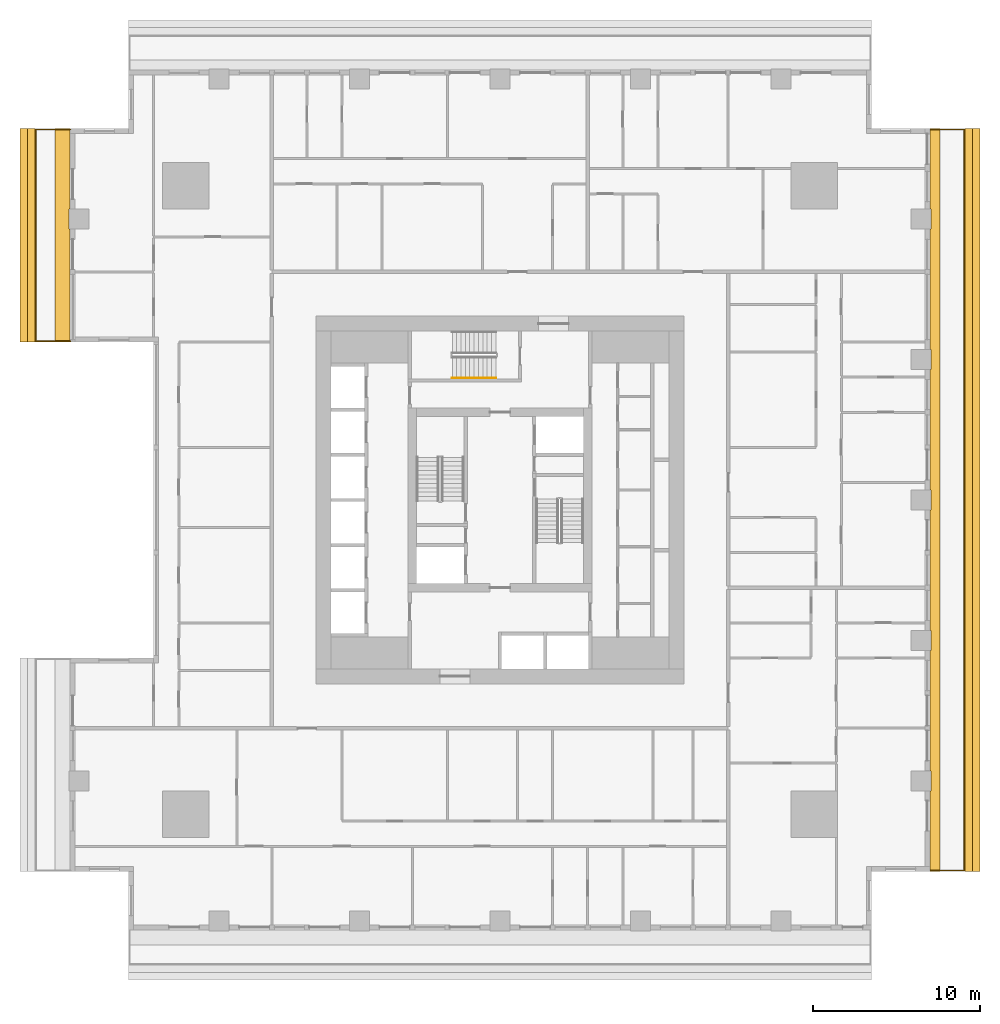
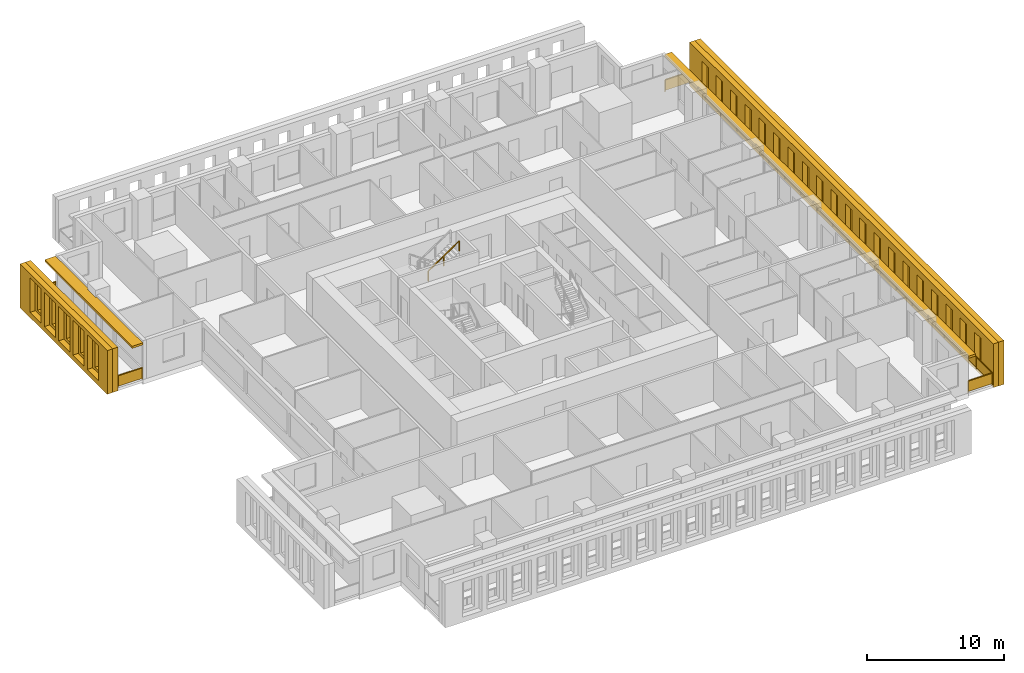
# One storey, part 12 of 14: 6 shading devices, 3 railings.
"""IFC4 building model written with IfcOpenShell, lengths in metres."""

from ifc_helpers import new_model, si_unit, direction, frame, origin, origin_2d, place, context, subcontext, project, spatial, polyline, rectangle, outline, extrude, material, layer, layer_set, type_object, element, save


model = new_model("IFC4")

# Units and contexts
model_context = context("Model", 3, precision=1e-05, world=origin(), true_north=direction((0.0, 1.0)))
body_context = subcontext(model_context, "Body", "Model", "MODEL_VIEW")
ifc_project = project(units=[si_unit("LENGTHUNIT", "METRE"), si_unit("AREAUNIT", "SQUARE_METRE"), si_unit("VOLUMEUNIT", "CUBIC_METRE"), si_unit("PLANEANGLEUNIT", "RADIAN"), si_unit("MASSUNIT", "GRAM", prefix="KILO")], contexts=[model_context])

# Site, building, storey
site_placement = place(None, origin())
site = spatial("IfcSite", under=ifc_project, at=site_placement, CompositionType="ELEMENT")
building_placement = place(site_placement, origin())
building = spatial("IfcBuilding", under=site, at=building_placement, Name="Khepri Terraces", CompositionType="ELEMENT")
storey_placement = place(building_placement, frame((0.0, 0.0, 106.5)))
storey = spatial("IfcBuildingStorey", under=building, at=storey_placement, Name="L25", CompositionType="ELEMENT", Elevation=106.5)

# Railings
ifc_material_1 = material(Name="Stainless steel grade 316", Category="steel")
railing_type_1 = type_object("IfcRailingType", Name="GRD-BAL-1100", PredefinedType="GUARDRAIL", material=ifc_material_1)
railing_1_placement = place(storey_placement, frame((25.719970703125, -22.169921875, 0.0)))
element("IfcRailing", 1, at=railing_1_placement, inside=storey, type_object=railing_type_1, Name="Balcony guard L25 E", PredefinedType="GUARDRAIL", context=body_context, shape_type="SweptSolid", body=[
    extrude(rectangle(XDim=0.050048828125, YDim=0.06005859375, at=origin_2d()), frame((0.0, 0.0, 1.070068359375), z_axis=(1.0, 0.0, 0.0), x_axis=(0.0, 1.0, 0.0)), (0.0, 0.0, 1.0), 2.050048828125),
    extrude(rectangle(XDim=2.0, YDim=0.011962890625, at=origin_2d()), frame((1.02490234375, 0.0, 0.10009765625), z_axis=(0.0, 0.0, 1.0), x_axis=(1.0, 0.0, 0.0)), (0.0, 0.0, 1.0), 0.93994140625),
    extrude(rectangle(XDim=0.050048828125, YDim=0.06005859375, at=origin_2d()), frame((2.050048828125, 0.0, 1.070068359375), z_axis=(0.0, 1.0, 0.0), x_axis=(-1.0, 0.0, 0.0)), (0.0, 0.0, 1.0), 44.33984375),
    extrude(rectangle(XDim=2.28369140625, YDim=0.011962890625, at=origin_2d()), frame((2.050048828125, 1.166748046875, 0.10009765625), z_axis=(0.0, 0.0, 1.0), x_axis=(0.0, 1.0, 0.0)), (0.0, 0.0, 1.0), 0.93994140625),
    extrude(rectangle(XDim=2.28369140625, YDim=0.011962890625, at=origin_2d()), frame((2.050048828125, 3.50048828125, 0.10009765625), z_axis=(0.0, 0.0, 1.0), x_axis=(0.0, 1.0, 0.0)), (0.0, 0.0, 1.0), 0.93994140625),
    extrude(rectangle(XDim=2.28369140625, YDim=0.011962890625, at=origin_2d()), frame((2.050048828125, 5.834228515625, 0.10009765625), z_axis=(0.0, 0.0, 1.0), x_axis=(0.0, 1.0, 0.0)), (0.0, 0.0, 1.0), 0.93994140625),
    extrude(rectangle(XDim=2.28369140625, YDim=0.011962890625, at=origin_2d()), frame((2.050048828125, 8.16796875, 0.10009765625), z_axis=(0.0, 0.0, 1.0), x_axis=(0.0, 1.0, 0.0)), (0.0, 0.0, 1.0), 0.93994140625),
    extrude(rectangle(XDim=2.28369140625, YDim=0.011962890625, at=origin_2d()), frame((2.050048828125, 10.50146484375, 0.10009765625), z_axis=(0.0, 0.0, 1.0), x_axis=(0.0, 1.0, 0.0)), (0.0, 0.0, 1.0), 0.93994140625),
    extrude(rectangle(XDim=2.28369140625, YDim=0.011962890625, at=origin_2d()), frame((2.050048828125, 12.835205078125, 0.10009765625), z_axis=(0.0, 0.0, 1.0), x_axis=(0.0, 1.0, 0.0)), (0.0, 0.0, 1.0), 0.93994140625),
    extrude(rectangle(XDim=2.28369140625, YDim=0.011962890625, at=origin_2d()), frame((2.050048828125, 15.1689453125, 0.10009765625), z_axis=(0.0, 0.0, 1.0), x_axis=(0.0, 1.0, 0.0)), (0.0, 0.0, 1.0), 0.93994140625),
    extrude(rectangle(XDim=2.28369140625, YDim=0.011962890625, at=origin_2d()), frame((2.050048828125, 17.502685546875, 0.10009765625), z_axis=(0.0, 0.0, 1.0), x_axis=(0.0, 1.0, 0.0)), (0.0, 0.0, 1.0), 0.93994140625),
    extrude(rectangle(XDim=2.28369140625, YDim=0.011962890625, at=origin_2d()), frame((2.050048828125, 19.836181640625, 0.10009765625), z_axis=(0.0, 0.0, 1.0), x_axis=(0.0, 1.0, 0.0)), (0.0, 0.0, 1.0), 0.93994140625),
    extrude(rectangle(XDim=2.28369140625, YDim=0.011962890625, at=origin_2d()), frame((2.050048828125, 22.169921875, 0.10009765625), z_axis=(0.0, 0.0, 1.0), x_axis=(0.0, 1.0, 0.0)), (0.0, 0.0, 1.0), 0.93994140625),
    extrude(rectangle(XDim=2.28369140625, YDim=0.011962890625, at=origin_2d()), frame((2.050048828125, 24.503662109375, 0.10009765625), z_axis=(0.0, 0.0, 1.0), x_axis=(0.0, 1.0, 0.0)), (0.0, 0.0, 1.0), 0.93994140625),
    extrude(rectangle(XDim=2.28369140625, YDim=0.011962890625, at=origin_2d()), frame((2.050048828125, 26.837158203125, 0.10009765625), z_axis=(0.0, 0.0, 1.0), x_axis=(0.0, 1.0, 0.0)), (0.0, 0.0, 1.0), 0.93994140625),
    extrude(rectangle(XDim=2.28369140625, YDim=0.011962890625, at=origin_2d()), frame((2.050048828125, 29.1708984375, 0.10009765625), z_axis=(0.0, 0.0, 1.0), x_axis=(0.0, 1.0, 0.0)), (0.0, 0.0, 1.0), 0.93994140625),
    extrude(rectangle(XDim=2.28369140625, YDim=0.011962890625, at=origin_2d()), frame((2.050048828125, 31.504638671875, 0.10009765625), z_axis=(0.0, 0.0, 1.0), x_axis=(0.0, 1.0, 0.0)), (0.0, 0.0, 1.0), 0.93994140625),
    extrude(rectangle(XDim=2.28369140625, YDim=0.011962890625, at=origin_2d()), frame((2.050048828125, 33.83837890625, 0.10009765625), z_axis=(0.0, 0.0, 1.0), x_axis=(0.0, 1.0, 0.0)), (0.0, 0.0, 1.0), 0.93994140625),
    extrude(rectangle(XDim=2.28369140625, YDim=0.011962890625, at=origin_2d()), frame((2.050048828125, 36.171875, 0.10009765625), z_axis=(0.0, 0.0, 1.0), x_axis=(0.0, 1.0, 0.0)), (0.0, 0.0, 1.0), 0.93994140625),
    extrude(rectangle(XDim=2.28369140625, YDim=0.011962890625, at=origin_2d()), frame((2.050048828125, 38.505615234375, 0.10009765625), z_axis=(0.0, 0.0, 1.0), x_axis=(0.0, 1.0, 0.0)), (0.0, 0.0, 1.0), 0.93994140625),
    extrude(rectangle(XDim=2.28369140625, YDim=0.011962890625, at=origin_2d()), frame((2.050048828125, 40.83935546875, 0.10009765625), z_axis=(0.0, 0.0, 1.0), x_axis=(0.0, 1.0, 0.0)), (0.0, 0.0, 1.0), 0.93994140625),
    extrude(rectangle(XDim=2.28369140625, YDim=0.011962890625, at=origin_2d()), frame((2.050048828125, 43.173095703125, 0.10009765625), z_axis=(0.0, 0.0, 1.0), x_axis=(0.0, 1.0, 0.0)), (0.0, 0.0, 1.0), 0.93994140625),
    extrude(rectangle(XDim=0.050048828125, YDim=0.06005859375, at=origin_2d()), frame((2.050048828125, 44.33984375, 1.070068359375), z_axis=(-1.0, 0.0, 0.0), x_axis=(0.0, -1.0, 0.0)), (0.0, 0.0, 1.0), 2.050048828125),
    extrude(rectangle(XDim=2.0, YDim=0.011962890625, at=origin_2d()), frame((1.02490234375, 44.33984375, 0.10009765625), z_axis=(0.0, 0.0, 1.0), x_axis=(-1.0, 0.0, 0.0)), (0.0, 0.0, 1.0), 0.93994140625),
    extrude(rectangle(XDim=0.050048828125, YDim=0.050048828125, at=origin_2d()), origin(), (0.0, 0.0, 1.0), 1.0400390625),
    extrude(rectangle(XDim=0.050048828125, YDim=0.050048828125, at=origin_2d()), frame((2.050048828125, 0.0, 0.0)), (0.0, 0.0, 1.0), 1.0400390625),
    extrude(rectangle(XDim=0.050048828125, YDim=0.050048828125, at=origin_2d()), frame((2.050048828125, 2.333740234375, 0.0)), (0.0, 0.0, 1.0), 1.0400390625),
    extrude(rectangle(XDim=0.050048828125, YDim=0.050048828125, at=origin_2d()), frame((2.050048828125, 4.667236328125, 0.0)), (0.0, 0.0, 1.0), 1.0400390625),
    extrude(rectangle(XDim=0.050048828125, YDim=0.050048828125, at=origin_2d()), frame((2.050048828125, 7.0009765625, 0.0)), (0.0, 0.0, 1.0), 1.0400390625),
    extrude(rectangle(XDim=0.050048828125, YDim=0.050048828125, at=origin_2d()), frame((2.050048828125, 9.334716796875, 0.0)), (0.0, 0.0, 1.0), 1.0400390625),
    extrude(rectangle(XDim=0.050048828125, YDim=0.050048828125, at=origin_2d()), frame((2.050048828125, 11.66845703125, 0.0)), (0.0, 0.0, 1.0), 1.0400390625),
    extrude(rectangle(XDim=0.050048828125, YDim=0.050048828125, at=origin_2d()), frame((2.050048828125, 14.001953125, 0.0)), (0.0, 0.0, 1.0), 1.0400390625),
    extrude(rectangle(XDim=0.050048828125, YDim=0.050048828125, at=origin_2d()), frame((2.050048828125, 16.335693359375, 0.0)), (0.0, 0.0, 1.0), 1.0400390625),
    extrude(rectangle(XDim=0.050048828125, YDim=0.050048828125, at=origin_2d()), frame((2.050048828125, 18.66943359375, 0.0)), (0.0, 0.0, 1.0), 1.0400390625),
    extrude(rectangle(XDim=0.050048828125, YDim=0.050048828125, at=origin_2d()), frame((2.050048828125, 21.003173828125, 0.0)), (0.0, 0.0, 1.0), 1.0400390625),
    extrude(rectangle(XDim=0.050048828125, YDim=0.050048828125, at=origin_2d()), frame((2.050048828125, 23.336669921875, 0.0)), (0.0, 0.0, 1.0), 1.0400390625),
    extrude(rectangle(XDim=0.050048828125, YDim=0.050048828125, at=origin_2d()), frame((2.050048828125, 25.67041015625, 0.0)), (0.0, 0.0, 1.0), 1.0400390625),
    extrude(rectangle(XDim=0.050048828125, YDim=0.050048828125, at=origin_2d()), frame((2.050048828125, 28.004150390625, 0.0)), (0.0, 0.0, 1.0), 1.0400390625),
    extrude(rectangle(XDim=0.050048828125, YDim=0.050048828125, at=origin_2d()), frame((2.050048828125, 30.337890625, 0.0)), (0.0, 0.0, 1.0), 1.0400390625),
    extrude(rectangle(XDim=0.050048828125, YDim=0.050048828125, at=origin_2d()), frame((2.050048828125, 32.67138671875, 0.0)), (0.0, 0.0, 1.0), 1.0400390625),
    extrude(rectangle(XDim=0.050048828125, YDim=0.050048828125, at=origin_2d()), frame((2.050048828125, 35.005126953125, 0.0)), (0.0, 0.0, 1.0), 1.0400390625),
    extrude(rectangle(XDim=0.050048828125, YDim=0.050048828125, at=origin_2d()), frame((2.050048828125, 37.3388671875, 0.0)), (0.0, 0.0, 1.0), 1.0400390625),
    extrude(rectangle(XDim=0.050048828125, YDim=0.050048828125, at=origin_2d()), frame((2.050048828125, 39.672607421875, 0.0)), (0.0, 0.0, 1.0), 1.0400390625),
    extrude(rectangle(XDim=0.050048828125, YDim=0.050048828125, at=origin_2d()), frame((2.050048828125, 42.006103515625, 0.0)), (0.0, 0.0, 1.0), 1.0400390625),
    extrude(rectangle(XDim=0.050048828125, YDim=0.050048828125, at=origin_2d()), frame((2.050048828125, 44.33984375, 0.0)), (0.0, 0.0, 1.0), 1.0400390625),
    extrude(rectangle(XDim=0.050048828125, YDim=0.050048828125, at=origin_2d()), frame((0.0, 44.33984375, 0.0)), (0.0, 0.0, 1.0), 1.0400390625),
])
railing_2_placement = place(storey_placement, frame((-25.719970703125, 22.169921875, 0.0)))
element("IfcRailing", 2, at=railing_2_placement, inside=storey, type_object=railing_type_1, Name="Balcony guard L25 W", PredefinedType="GUARDRAIL", context=body_context, shape_type="SweptSolid", body=[
    extrude(rectangle(XDim=0.050048828125, YDim=0.06005859375, at=origin_2d()), frame((0.0, 0.0, 1.070068359375), z_axis=(-1.0, 0.0, 0.0), x_axis=(0.0, -1.0, 0.0)), (0.0, 0.0, 1.0), 2.050048828125),
    extrude(rectangle(XDim=2.0, YDim=0.011962890625, at=origin_2d()), frame((-1.02490234375, 0.0, 0.10009765625), z_axis=(0.0, 0.0, 1.0), x_axis=(-1.0, 0.0, 0.0)), (0.0, 0.0, 1.0), 0.93994140625),
    extrude(rectangle(XDim=0.050048828125, YDim=0.06005859375, at=origin_2d()), frame((-2.050048828125, 0.0, 1.070068359375), z_axis=(0.0, -1.0, 0.0), x_axis=(1.0, 0.0, 0.0)), (0.0, 0.0, 1.0), 12.669921875),
    extrude(rectangle(XDim=2.0615234375, YDim=0.011962890625, at=origin_2d()), frame((-2.050048828125, -1.055908203125, 0.10009765625), z_axis=(0.0, 0.0, 1.0), x_axis=(0.0, -1.0, 0.0)), (0.0, 0.0, 1.0), 0.93994140625),
    extrude(rectangle(XDim=2.0615234375, YDim=0.011962890625, at=origin_2d()), frame((-2.050048828125, -3.16748046875, 0.10009765625), z_axis=(0.0, 0.0, 1.0), x_axis=(0.0, -1.0, 0.0)), (0.0, 0.0, 1.0), 0.93994140625),
    extrude(rectangle(XDim=2.0615234375, YDim=0.011962890625, at=origin_2d()), frame((-2.050048828125, -5.279052734375, 0.10009765625), z_axis=(0.0, 0.0, 1.0), x_axis=(0.0, -1.0, 0.0)), (0.0, 0.0, 1.0), 0.93994140625),
    extrude(rectangle(XDim=2.0615234375, YDim=0.011962890625, at=origin_2d()), frame((-2.050048828125, -7.390869140625, 0.10009765625), z_axis=(0.0, 0.0, 1.0), x_axis=(0.0, -1.0, 0.0)), (0.0, 0.0, 1.0), 0.93994140625),
    extrude(rectangle(XDim=2.0615234375, YDim=0.011962890625, at=origin_2d()), frame((-2.050048828125, -9.50244140625, 0.10009765625), z_axis=(0.0, 0.0, 1.0), x_axis=(0.0, -1.0, 0.0)), (0.0, 0.0, 1.0), 0.93994140625),
    extrude(rectangle(XDim=2.0615234375, YDim=0.011962890625, at=origin_2d()), frame((-2.050048828125, -11.614013671875, 0.10009765625), z_axis=(0.0, 0.0, 1.0), x_axis=(0.0, -1.0, 0.0)), (0.0, 0.0, 1.0), 0.93994140625),
    extrude(rectangle(XDim=0.050048828125, YDim=0.06005859375, at=origin_2d()), frame((-2.050048828125, -12.669921875, 1.070068359375), z_axis=(1.0, 0.0, 0.0), x_axis=(0.0, 1.0, 0.0)), (0.0, 0.0, 1.0), 2.050048828125),
    extrude(rectangle(XDim=2.0, YDim=0.011962890625, at=origin_2d()), frame((-1.02490234375, -12.669921875, 0.10009765625), z_axis=(0.0, 0.0, 1.0), x_axis=(1.0, 0.0, 0.0)), (0.0, 0.0, 1.0), 0.93994140625),
    extrude(rectangle(XDim=0.050048828125, YDim=0.050048828125, at=origin_2d()), origin(), (0.0, 0.0, 1.0), 1.0400390625),
    extrude(rectangle(XDim=0.050048828125, YDim=0.050048828125, at=origin_2d()), frame((-2.050048828125, 0.0, 0.0)), (0.0, 0.0, 1.0), 1.0400390625),
    extrude(rectangle(XDim=0.050048828125, YDim=0.050048828125, at=origin_2d()), frame((-2.050048828125, -2.111572265625, 0.0)), (0.0, 0.0, 1.0), 1.0400390625),
    extrude(rectangle(XDim=0.050048828125, YDim=0.050048828125, at=origin_2d()), frame((-2.050048828125, -4.223388671875, 0.0)), (0.0, 0.0, 1.0), 1.0400390625),
    extrude(rectangle(XDim=0.050048828125, YDim=0.050048828125, at=origin_2d()), frame((-2.050048828125, -6.3349609375, 0.0)), (0.0, 0.0, 1.0), 1.0400390625),
    extrude(rectangle(XDim=0.050048828125, YDim=0.050048828125, at=origin_2d()), frame((-2.050048828125, -8.446533203125, 0.0)), (0.0, 0.0, 1.0), 1.0400390625),
    extrude(rectangle(XDim=0.050048828125, YDim=0.050048828125, at=origin_2d()), frame((-2.050048828125, -10.558349609375, 0.0)), (0.0, 0.0, 1.0), 1.0400390625),
    extrude(rectangle(XDim=0.050048828125, YDim=0.050048828125, at=origin_2d()), frame((-2.050048828125, -12.669921875, 0.0)), (0.0, 0.0, 1.0), 1.0400390625),
    extrude(rectangle(XDim=0.050048828125, YDim=0.050048828125, at=origin_2d()), frame((0.0, -12.669921875, 0.0)), (0.0, 0.0, 1.0), 1.0400390625),
])
ifc_material_2 = material(Name="Stainless steel 316", Category="steel")
railing_type_2 = type_object("IfcRailingType", Name="RL-CORE-HANDRAIL", PredefinedType="HANDRAIL", material=ifc_material_2)
railing_3_placement = place(storey_placement, frame((-2.85009765625, 7.300048828125, 2.127197265625)))
element("IfcRailing", 3, at=railing_3_placement, inside=storey, type_object=railing_type_2, Name="L25 ST-3 stair handrail 2", PredefinedType="HANDRAIL", context=body_context, shape_type="SweptSolid", body=[
    extrude(rectangle(XDim=0.050048828125, YDim=0.050048828125, at=origin_2d()), frame((0.0, 0.0, 0.875), z_axis=(0.826240473404, 0.0, 0.563317565952), x_axis=(0.0, 1.0, 0.0)), (0.0, 0.0, 1.0), 3.14697265625),
    extrude(rectangle(XDim=0.050048828125, YDim=0.050048828125, at=origin_2d()), origin(), (0.0, 0.0, 1.0), 0.849853515625),
    extrude(rectangle(XDim=0.050048828125, YDim=0.050048828125, at=origin_2d()), frame((1.300048828125, 0.0, 0.88623046875)), (0.0, 0.0, 1.0), 0.849853515625),
    extrude(rectangle(XDim=0.050048828125, YDim=0.050048828125, at=origin_2d()), frame((2.60009765625, 0.0, 1.772705078125)), (0.0, 0.0, 1.0), 0.849853515625),
])

# Shading devices
ifc_material_3 = material(Name="Precast concrete C50/60 warm stone", Category="masonry")
shading_device_type_1 = type_object("IfcShadingDeviceType", Name="SCR-CELL-INNER-450", PredefinedType="USERDEFINED", material=ifc_material_3)
shading_device_1_placement = place(storey_placement, frame((27.820068359375, -22.219970703125, -0.25), z_axis=(1.0, 0.0, 0.0), x_axis=(0.0, 1.0, 0.0)))
element("IfcShadingDevice", 4, at=shading_device_1_placement, inside=storey, type_object=shading_device_type_1, Name="Cell screen L25 E in", ObjectType="SCREEN", PredefinedType="USERDEFINED", context=body_context, shape_type="SweptSolid", body=[
    extrude(outline(polyline([(0.0, 0.0), (44.43994140625, 0.0), (44.43994140625, 3.89990234375), (0.0, 3.89990234375), (0.0, 0.0)]), holes=[polyline([(1.797607421875, 0.699951171875), (2.742431640625, 0.699951171875), (2.742431640625, 3.300048828125), (1.797607421875, 3.300048828125), (1.797607421875, 0.699951171875)]), polyline([(3.8974609375, 0.699951171875), (4.842529296875, 0.699951171875), (4.842529296875, 3.300048828125), (3.8974609375, 3.300048828125), (3.8974609375, 0.699951171875)]), polyline([(5.99755859375, 0.699951171875), (6.9423828125, 0.699951171875), (6.9423828125, 3.300048828125), (5.99755859375, 3.300048828125), (5.99755859375, 0.699951171875)]), polyline([(8.097412109375, 0.699951171875), (9.04248046875, 0.699951171875), (9.04248046875, 3.300048828125), (8.097412109375, 3.300048828125), (8.097412109375, 0.699951171875)]), polyline([(10.197509765625, 0.699951171875), (11.142578125, 0.699951171875), (11.142578125, 3.300048828125), (10.197509765625, 3.300048828125), (10.197509765625, 0.699951171875)]), polyline([(12.297607421875, 0.699951171875), (13.242431640625, 0.699951171875), (13.242431640625, 3.300048828125), (12.297607421875, 3.300048828125), (12.297607421875, 0.699951171875)]), polyline([(14.3974609375, 0.699951171875), (15.342529296875, 0.699951171875), (15.342529296875, 3.300048828125), (14.3974609375, 3.300048828125), (14.3974609375, 0.699951171875)]), polyline([(16.49755859375, 0.699951171875), (17.4423828125, 0.699951171875), (17.4423828125, 3.300048828125), (16.49755859375, 3.300048828125), (16.49755859375, 0.699951171875)]), polyline([(18.597412109375, 0.699951171875), (19.54248046875, 0.699951171875), (19.54248046875, 3.300048828125), (18.597412109375, 3.300048828125), (18.597412109375, 0.699951171875)]), polyline([(20.697509765625, 0.699951171875), (21.642578125, 0.699951171875), (21.642578125, 3.300048828125), (20.697509765625, 3.300048828125), (20.697509765625, 0.699951171875)]), polyline([(22.797607421875, 0.699951171875), (23.742431640625, 0.699951171875), (23.742431640625, 3.300048828125), (22.797607421875, 3.300048828125), (22.797607421875, 0.699951171875)]), polyline([(24.8974609375, 0.699951171875), (25.842529296875, 0.699951171875), (25.842529296875, 3.300048828125), (24.8974609375, 3.300048828125), (24.8974609375, 0.699951171875)]), polyline([(26.99755859375, 0.699951171875), (27.9423828125, 0.699951171875), (27.9423828125, 3.300048828125), (26.99755859375, 3.300048828125), (26.99755859375, 0.699951171875)]), polyline([(29.097412109375, 0.699951171875), (30.04248046875, 0.699951171875), (30.04248046875, 3.300048828125), (29.097412109375, 3.300048828125), (29.097412109375, 0.699951171875)]), polyline([(31.197509765625, 0.699951171875), (32.142578125, 0.699951171875), (32.142578125, 3.300048828125), (31.197509765625, 3.300048828125), (31.197509765625, 0.699951171875)]), polyline([(33.297607421875, 0.699951171875), (34.242431640625, 0.699951171875), (34.242431640625, 3.300048828125), (33.297607421875, 3.300048828125), (33.297607421875, 0.699951171875)]), polyline([(35.3974609375, 0.699951171875), (36.342529296875, 0.699951171875), (36.342529296875, 3.300048828125), (35.3974609375, 3.300048828125), (35.3974609375, 0.699951171875)]), polyline([(37.49755859375, 0.699951171875), (38.4423828125, 0.699951171875), (38.4423828125, 3.300048828125), (37.49755859375, 3.300048828125), (37.49755859375, 0.699951171875)]), polyline([(39.597412109375, 0.699951171875), (40.54248046875, 0.699951171875), (40.54248046875, 3.300048828125), (39.597412109375, 3.300048828125), (39.597412109375, 0.699951171875)]), polyline([(41.697509765625, 0.699951171875), (42.642578125, 0.699951171875), (42.642578125, 3.300048828125), (41.697509765625, 3.300048828125), (41.697509765625, 0.699951171875)])]), origin(), (0.0, 0.0, 1.0), 0.449951171875),
])
shading_device_2_placement = place(storey_placement, frame((-27.820068359375, 22.219970703125, -0.25), z_axis=(-1.0, 0.0, 0.0), x_axis=(0.0, -1.0, 0.0)))
element("IfcShadingDevice", 5, at=shading_device_2_placement, inside=storey, type_object=shading_device_type_1, Name="Cell screen L25 W in", ObjectType="SCREEN", PredefinedType="USERDEFINED", context=body_context, shape_type="SweptSolid", body=[
    extrude(outline(polyline([(0.0, 0.0), (12.77001953125, 0.0), (12.77001953125, 3.89990234375), (0.0, 3.89990234375), (0.0, 0.0)]), holes=[polyline([(1.797607421875, 0.699951171875), (2.742431640625, 0.699951171875), (2.742431640625, 3.300048828125), (1.797607421875, 3.300048828125), (1.797607421875, 0.699951171875)]), polyline([(3.8974609375, 0.699951171875), (4.842529296875, 0.699951171875), (4.842529296875, 3.300048828125), (3.8974609375, 3.300048828125), (3.8974609375, 0.699951171875)]), polyline([(5.99755859375, 0.699951171875), (6.9423828125, 0.699951171875), (6.9423828125, 3.300048828125), (5.99755859375, 3.300048828125), (5.99755859375, 0.699951171875)]), polyline([(8.097412109375, 0.699951171875), (9.04248046875, 0.699951171875), (9.04248046875, 3.300048828125), (8.097412109375, 3.300048828125), (8.097412109375, 0.699951171875)]), polyline([(10.197509765625, 0.699951171875), (11.142578125, 0.699951171875), (11.142578125, 3.300048828125), (10.197509765625, 3.300048828125), (10.197509765625, 0.699951171875)])]), origin(), (0.0, 0.0, 1.0), 0.449951171875),
])
shading_device_type_2 = type_object("IfcShadingDeviceType", Name="SCR-CELL-OUTER-450", PredefinedType="USERDEFINED", material=ifc_material_3)
shading_device_3_placement = place(storey_placement, frame((28.27001953125, -22.219970703125, -0.25), z_axis=(1.0, 0.0, 0.0), x_axis=(0.0, 1.0, 0.0)))
element("IfcShadingDevice", 6, at=shading_device_3_placement, inside=storey, type_object=shading_device_type_2, Name="Cell screen L25 E out", ObjectType="SCREEN", PredefinedType="USERDEFINED", context=body_context, shape_type="SweptSolid", body=[
    extrude(outline(polyline([(0.0, 0.0), (44.43994140625, 0.0), (44.43994140625, 3.89990234375), (0.0, 3.89990234375), (0.0, 0.0)]), holes=[polyline([(1.447509765625, 0.449951171875), (3.092529296875, 0.449951171875), (3.092529296875, 3.550048828125), (1.447509765625, 3.550048828125), (1.447509765625, 0.449951171875)]), polyline([(3.547607421875, 0.449951171875), (5.1923828125, 0.449951171875), (5.1923828125, 3.550048828125), (3.547607421875, 3.550048828125), (3.547607421875, 0.449951171875)]), polyline([(5.6474609375, 0.449951171875), (7.29248046875, 0.449951171875), (7.29248046875, 3.550048828125), (5.6474609375, 3.550048828125), (5.6474609375, 0.449951171875)]), polyline([(7.74755859375, 0.449951171875), (9.392578125, 0.449951171875), (9.392578125, 3.550048828125), (7.74755859375, 3.550048828125), (7.74755859375, 0.449951171875)]), polyline([(9.847412109375, 0.449951171875), (11.492431640625, 0.449951171875), (11.492431640625, 3.550048828125), (9.847412109375, 3.550048828125), (9.847412109375, 0.449951171875)]), polyline([(11.947509765625, 0.449951171875), (13.592529296875, 0.449951171875), (13.592529296875, 3.550048828125), (11.947509765625, 3.550048828125), (11.947509765625, 0.449951171875)]), polyline([(14.047607421875, 0.449951171875), (15.6923828125, 0.449951171875), (15.6923828125, 3.550048828125), (14.047607421875, 3.550048828125), (14.047607421875, 0.449951171875)]), polyline([(16.1474609375, 0.449951171875), (17.79248046875, 0.449951171875), (17.79248046875, 3.550048828125), (16.1474609375, 3.550048828125), (16.1474609375, 0.449951171875)]), polyline([(18.24755859375, 0.449951171875), (19.892578125, 0.449951171875), (19.892578125, 3.550048828125), (18.24755859375, 3.550048828125), (18.24755859375, 0.449951171875)]), polyline([(20.347412109375, 0.449951171875), (21.992431640625, 0.449951171875), (21.992431640625, 3.550048828125), (20.347412109375, 3.550048828125), (20.347412109375, 0.449951171875)]), polyline([(22.447509765625, 0.449951171875), (24.092529296875, 0.449951171875), (24.092529296875, 3.550048828125), (22.447509765625, 3.550048828125), (22.447509765625, 0.449951171875)]), polyline([(24.547607421875, 0.449951171875), (26.1923828125, 0.449951171875), (26.1923828125, 3.550048828125), (24.547607421875, 3.550048828125), (24.547607421875, 0.449951171875)]), polyline([(26.6474609375, 0.449951171875), (28.29248046875, 0.449951171875), (28.29248046875, 3.550048828125), (26.6474609375, 3.550048828125), (26.6474609375, 0.449951171875)]), polyline([(28.74755859375, 0.449951171875), (30.392578125, 0.449951171875), (30.392578125, 3.550048828125), (28.74755859375, 3.550048828125), (28.74755859375, 0.449951171875)]), polyline([(30.847412109375, 0.449951171875), (32.492431640625, 0.449951171875), (32.492431640625, 3.550048828125), (30.847412109375, 3.550048828125), (30.847412109375, 0.449951171875)]), polyline([(32.947509765625, 0.449951171875), (34.592529296875, 0.449951171875), (34.592529296875, 3.550048828125), (32.947509765625, 3.550048828125), (32.947509765625, 0.449951171875)]), polyline([(35.047607421875, 0.449951171875), (36.6923828125, 0.449951171875), (36.6923828125, 3.550048828125), (35.047607421875, 3.550048828125), (35.047607421875, 0.449951171875)]), polyline([(37.1474609375, 0.449951171875), (38.79248046875, 0.449951171875), (38.79248046875, 3.550048828125), (37.1474609375, 3.550048828125), (37.1474609375, 0.449951171875)]), polyline([(39.24755859375, 0.449951171875), (40.892578125, 0.449951171875), (40.892578125, 3.550048828125), (39.24755859375, 3.550048828125), (39.24755859375, 0.449951171875)]), polyline([(41.347412109375, 0.449951171875), (42.992431640625, 0.449951171875), (42.992431640625, 3.550048828125), (41.347412109375, 3.550048828125), (41.347412109375, 0.449951171875)])]), origin(), (0.0, 0.0, 1.0), 0.449951171875),
])
shading_device_4_placement = place(storey_placement, frame((-28.27001953125, 22.219970703125, -0.25), z_axis=(-1.0, 0.0, 0.0), x_axis=(0.0, -1.0, 0.0)))
element("IfcShadingDevice", 7, at=shading_device_4_placement, inside=storey, type_object=shading_device_type_2, Name="Cell screen L25 W out", ObjectType="SCREEN", PredefinedType="USERDEFINED", context=body_context, shape_type="SweptSolid", body=[
    extrude(outline(polyline([(0.0, 0.0), (12.77001953125, 0.0), (12.77001953125, 3.89990234375), (0.0, 3.89990234375), (0.0, 0.0)]), holes=[polyline([(1.447509765625, 0.449951171875), (3.092529296875, 0.449951171875), (3.092529296875, 3.550048828125), (1.447509765625, 3.550048828125), (1.447509765625, 0.449951171875)]), polyline([(3.547607421875, 0.449951171875), (5.1923828125, 0.449951171875), (5.1923828125, 3.550048828125), (3.547607421875, 3.550048828125), (3.547607421875, 0.449951171875)]), polyline([(5.6474609375, 0.449951171875), (7.29248046875, 0.449951171875), (7.29248046875, 3.550048828125), (5.6474609375, 3.550048828125), (5.6474609375, 0.449951171875)]), polyline([(7.74755859375, 0.449951171875), (9.392578125, 0.449951171875), (9.392578125, 3.550048828125), (7.74755859375, 3.550048828125), (7.74755859375, 0.449951171875)]), polyline([(9.847412109375, 0.449951171875), (11.492431640625, 0.449951171875), (11.492431640625, 3.550048828125), (9.847412109375, 3.550048828125), (9.847412109375, 0.449951171875)])]), origin(), (0.0, 0.0, 1.0), 0.449951171875),
])
ifc_layer_1 = layer(ifc_material_3, 0.199951171875, Name="Precast concrete C50/60 warm stone", Category="masonry")
ifc_layer_set_1 = layer_set([ifc_layer_1], Name="Precast concrete C50/60 warm stone")
shading_device_type_3 = type_object("IfcShadingDeviceType", Name="SSH-BAND-STONE-200", PredefinedType="USERDEFINED", material=ifc_layer_set_1)
shading_device_5_placement = place(storey_placement, frame((0.0, 0.0, 3.10009765625)))
element("IfcShadingDevice", 8, at=shading_device_5_placement, inside=storey, type_object=shading_device_type_3, Name="Sunshade band L25 W", ObjectType="SUNSHADE", PredefinedType="USERDEFINED", context=body_context, shape_type="SweptSolid", body=[
    extrude(outline(polyline([(-25.719970703125, 17.39990234375), (-25.719970703125, 22.219970703125), (-26.6201171875, 22.219970703125), (-26.6201171875, 9.449951171875), (-25.719970703125, 9.449951171875), (-25.719970703125, 16.199951171875), (-25.800048828125, 16.199951171875), (-25.800048828125, 17.39990234375), (-25.719970703125, 17.39990234375)])), origin(), (0.0, 0.0, 1.0), 0.199951171875),
])
ifc_layer_2 = layer(ifc_material_3, 0.199951171875, Name="Precast concrete C50/60 warm stone", Category="masonry")
ifc_layer_set_2 = layer_set([ifc_layer_2], Name="Precast concrete C50/60 warm stone")
shading_device_type_4 = type_object("IfcShadingDeviceType", Name="SSH-BAND-STONE-200-N", PredefinedType="USERDEFINED", material=ifc_layer_set_2)
shading_device_6_placement = place(storey_placement, frame((0.0, 0.0, 3.10009765625)))
element("IfcShadingDevice", 9, at=shading_device_6_placement, inside=storey, type_object=shading_device_type_4, Name="Sunshade band L25 E", ObjectType="SUNSHADE", PredefinedType="USERDEFINED", context=body_context, shape_type="SweptSolid", body=[
    extrude(outline(polyline([(25.719970703125, -17.39990234375), (25.719970703125, -22.219970703125), (26.320068359375, -22.219970703125), (26.320068359375, 22.219970703125), (25.719970703125, 22.219970703125), (25.719970703125, 17.39990234375), (25.800048828125, 17.39990234375), (25.800048828125, 16.199951171875), (25.719970703125, 16.199951171875), (25.719970703125, 9.0), (25.800048828125, 9.0), (25.800048828125, 7.800048828125), (25.719970703125, 7.800048828125), (25.719970703125, 0.60009765625), (25.800048828125, 0.60009765625), (25.800048828125, -0.60009765625), (25.719970703125, -0.60009765625), (25.719970703125, -7.800048828125), (25.800048828125, -7.800048828125), (25.800048828125, -9.0), (25.719970703125, -9.0), (25.719970703125, -16.199951171875), (25.800048828125, -16.199951171875), (25.800048828125, -17.39990234375), (25.719970703125, -17.39990234375)])), origin(), (0.0, 0.0, 1.0), 0.199951171875),
])

save(model, "model.ifc")
